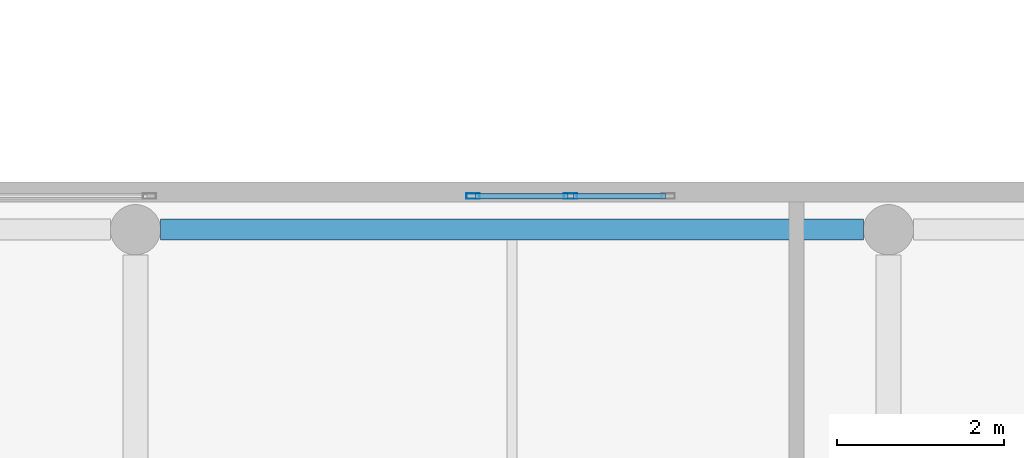
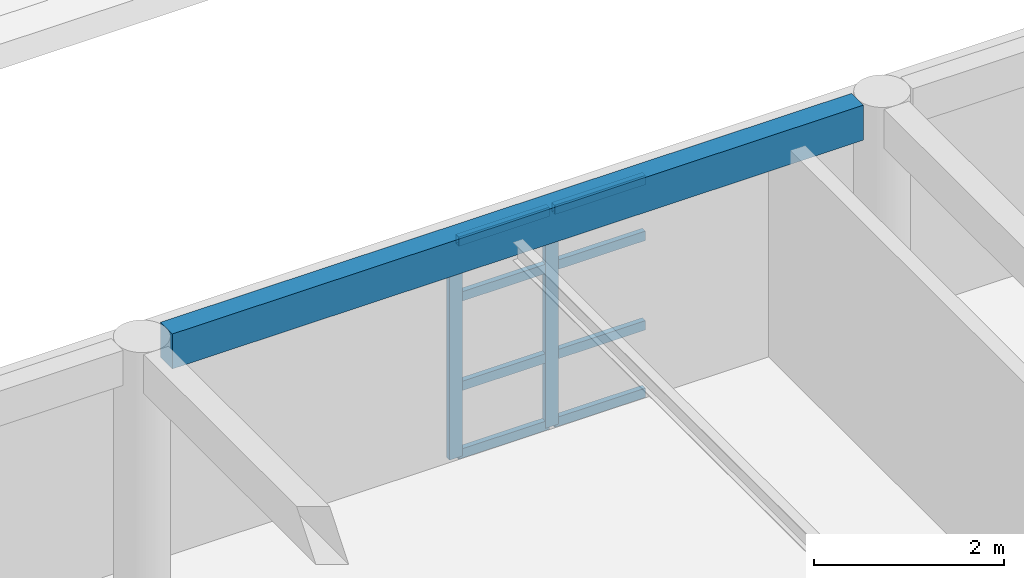
# One storey, part 61 of 128: 10 members, 1 beam, 1 element without a shape of its own.
"""IFC4 building model written with IfcOpenShell, lengths in metres."""

import ifcopenshell
import ifcopenshell.guid

model = None  # the IFC model being written
_history = None  # IfcOwnerHistory: only IFC2X3 demands one
_inside = {}  # id of a spatial element -> (the spatial element, [elements in it])
_under = {}  # id of a project, library or spatial element -> (it, [spatial elements below it])
_declared = {}  # id of a project -> (the project, [libraries it declares])
_typed = {}  # id of a type object -> (the type object, [elements of that type])
_made_of = {}  # id of a material, layer set ... -> (it, [elements and type objects made of it])


def new_model(schema):
    """Start an empty IFC model of exactly this schema.

    Asked for "IFC4X3", IfcOpenShell would pick the latest addendum, in which some entities
    have other attributes; the version numbers below select the first issue.
    IFC2X3 requires an IfcOwnerHistory on every rooted entity: one is made here for all.
    """
    global model, _history
    if schema == "IFC4X3":
        model = ifcopenshell.file(schema_version=(4, 3, 0, 0))
    else:
        model = ifcopenshell.file(schema=schema)
    _inside.clear()
    _under.clear()
    _declared.clear()
    _typed.clear()
    _made_of.clear()
    _history = None
    if model.schema == "IFC2X3":
        org = make("IfcOrganization", Name="unknown")
        user = make(
            "IfcPersonAndOrganization",
            ThePerson=make("IfcPerson", FamilyName="unknown"),
            TheOrganization=org,
        )
        app = make(
            "IfcApplication",
            ApplicationDeveloper=org,
            Version="unknown",
            ApplicationFullName="unknown",
            ApplicationIdentifier="unknown",
        )
        _history = make(
            "IfcOwnerHistory",
            OwningUser=user,
            OwningApplication=app,
            ChangeAction="ADDED",
            CreationDate=0,
        )
    return model


def make(cls, **values):
    """One entity of the class cls with the attributes given. An attribute that is None is left unset."""
    return model.create_entity(
        cls, **{name: value for name, value in values.items() if value is not None}
    )


def rooted(cls, **values):
    """An entity with a GlobalId (a new one), such as an element, a storey or a relation."""
    return make(cls, GlobalId=ifcopenshell.guid.new(), OwnerHistory=_history, **values)


def si_unit(unit_type, name, prefix=None):
    """IfcSIUnit, for example si_unit("LENGTHUNIT", "METRE", prefix="MILLI")."""
    return make("IfcSIUnit", UnitType=unit_type, Prefix=prefix, Name=name)


def assignment(units):
    """IfcUnitAssignment: the units of a project."""
    return None if units is None else make("IfcUnitAssignment", Units=units)


def point(xyz):
    """IfcCartesianPoint."""
    return None if xyz is None else make("IfcCartesianPoint", Coordinates=xyz)


def direction(xyz):
    """IfcDirection."""
    return None if xyz is None else make("IfcDirection", DirectionRatios=xyz)


def frame(location, z_axis=None, x_axis=None):
    """IfcAxis2Placement3D, a coordinate frame: its origin and axes. An axis left out is left unset."""
    return make(
        "IfcAxis2Placement3D",
        Location=point(location),
        Axis=direction(z_axis),
        RefDirection=direction(x_axis),
    )


def frame_2d(location, x_axis=None):
    """IfcAxis2Placement2D, a coordinate frame in the plane: its origin and x axis."""
    return make(
        "IfcAxis2Placement2D", Location=point(location), RefDirection=direction(x_axis)
    )


def origin():
    """The frame at (0, 0, 0) with its axes left unset."""
    return frame((0.0, 0.0, 0.0))


def origin_2d():
    """The frame at (0, 0) in the plane with its x axis left unset."""
    return frame_2d((0.0, 0.0))


def place(relative_to, where):
    """IfcLocalPlacement: puts the frame where relative to a parent placement (None: the world)."""
    return make(
        "IfcLocalPlacement", PlacementRelTo=relative_to, RelativePlacement=where
    )


def context(
    kind, dimensions, precision=None, world=None, true_north=None, identifier=None
):
    """IfcGeometricRepresentationContext, for example the 3D "Model" context."""
    return make(
        "IfcGeometricRepresentationContext",
        ContextIdentifier=identifier,
        ContextType=kind,
        CoordinateSpaceDimension=dimensions,
        Precision=precision,
        WorldCoordinateSystem=world,
        TrueNorth=true_north,
    )


def subcontext(parent, identifier, kind, view, scale=None):
    """IfcGeometricRepresentationSubContext, for example "Body" below "Model"."""
    return make(
        "IfcGeometricRepresentationSubContext",
        ContextIdentifier=identifier,
        ContextType=kind,
        ParentContext=parent,
        TargetScale=scale,
        TargetView=view,
    )


def project(units=None, contexts=None):
    """IfcProject with its units and contexts."""
    return rooted(
        "IfcProject",
        Name="project",
        RepresentationContexts=contexts,
        UnitsInContext=assignment(units),
    )


def spatial(cls, under=None, at=None, **own):
    """A site, building, storey or space (cls), placed at a placement, below another one or the project."""
    s = rooted(cls, ObjectPlacement=at, **own)
    if under is not None:
        _under.setdefault(under.id(), (under, []))[1].append(s)
    return s


def profile(cls, at=None, kind="AREA", **sizes):
    """A parametric profile (cls). Its sizes go by their IFC names, for example OverallWidth=200.0."""
    return make(cls, ProfileType=kind, Position=at, **sizes)


def rectangle(**sizes):
    """IfcRectangleProfileDef."""
    return profile("IfcRectangleProfileDef", **sizes)


def hollow_rectangle(**sizes):
    """IfcRectangleHollowProfileDef."""
    return profile("IfcRectangleHollowProfileDef", **sizes)


def extrude(swept, where, along, depth):
    """IfcExtrudedAreaSolid: the profile swept, set in the frame where, extruded along a direction by depth."""
    return make(
        "IfcExtrudedAreaSolid",
        SweptArea=swept,
        Position=where,
        ExtrudedDirection=direction(along),
        Depth=depth,
    )


def shape(context_of_items, identifier, shape_type, items):
    """IfcShapeRepresentation: the items that make up one representation, for example the "Body"."""
    return make(
        "IfcShapeRepresentation",
        ContextOfItems=context_of_items,
        RepresentationIdentifier=identifier,
        RepresentationType=shape_type,
        Items=items,
    )


def material(Name=None, Category=None):
    """IfcMaterial."""
    return make("IfcMaterial", Name=Name, Category=Category)


def layer(
    of_material, thickness, ventilated=None, Name=None, Category=None, Priority=None
):
    """IfcMaterialLayer: one layer of a wall or slab, of a material (None: an air gap)."""
    return make(
        "IfcMaterialLayer",
        Material=of_material,
        LayerThickness=thickness,
        IsVentilated=ventilated,
        Name=Name,
        Category=Category,
        Priority=Priority,
    )


def layer_set(layers, Name=None):
    """IfcMaterialLayerSet."""
    return make("IfcMaterialLayerSet", MaterialLayers=layers, LayerSetName=Name)


def material_profile(
    of_material, cross_section, Name=None, Category=None, Priority=None
):
    """IfcMaterialProfile: a cross section and its material."""
    return make(
        "IfcMaterialProfile",
        Name=Name,
        Material=of_material,
        Profile=cross_section,
        Priority=Priority,
        Category=Category,
    )


def profile_set(profiles, Name=None, composite=None):
    """IfcMaterialProfileSet."""
    return make(
        "IfcMaterialProfileSet",
        Name=Name,
        MaterialProfiles=profiles,
        CompositeProfile=composite,
    )


def made_of(thing, what):
    """Note that an element or type object is made of a material, layer set ...; save() writes the relation."""
    if what is not None:
        _made_of.setdefault(what.id(), (what, []))[1].append(thing)
    return thing


def type_object(cls, material=None, **own):
    """A type object (cls), such as IfcWallType, which elements share."""
    return made_of(rooted(cls, **own), material)


def element(
    cls,
    number,
    at=None,
    inside=None,
    cuts=None,
    type_object=None,
    material=None,
    context=None,
    identifier="Body",
    shape_type=None,
    held_by="IfcProductDefinitionShape",
    body=None,
    shapes=None,
    **own,
):
    """One element of the class cls, such as IfcWall. Its Tag is "e" and its number.

    at: its placement. inside: the storey or other place that contains it. cuts: it is an
    opening in that element (IfcRelVoidsElement). A single representation is given by context,
    identifier, shape_type and body (its items); several are given by shapes. held_by: the class
    of the entity that holds the representations. save() writes the other relations.
    """
    e = rooted(cls, Tag="e%d" % number, ObjectPlacement=at, **own)
    if body is not None:
        shapes = [shape(context, identifier, shape_type, body)]
    if shapes is not None:
        e.Representation = make(held_by, Representations=shapes)
    if inside is not None:
        _inside.setdefault(inside.id(), (inside, []))[1].append(e)
    if cuts is not None:
        rooted(
            "IfcRelVoidsElement", RelatingBuildingElement=cuts, RelatedOpeningElement=e
        )
    if type_object is not None:
        _typed.setdefault(type_object.id(), (type_object, []))[1].append(e)
    return made_of(e, material)


def aggregate(whole, parts):
    """IfcRelAggregates: a whole, such as a stair, and the parts it consists of."""
    return rooted("IfcRelAggregates", RelatingObject=whole, RelatedObjects=parts)


def save(model, path):
    """Write the relations noted so far, then the file.

    IfcRelAggregates (storeys below a building ...), IfcRelContainedInSpatialStructure (elements
    in a storey), IfcRelDefinesByType, IfcRelAssociatesMaterial and IfcRelDeclares: one each for
    every whole, place, type object, material and project.
    """
    for whole, parts in _under.values():
        aggregate(whole, parts)
    for where, things in _inside.values():
        rooted(
            "IfcRelContainedInSpatialStructure",
            RelatedElements=things,
            RelatingStructure=where,
        )
    for kind, things in _typed.values():
        rooted("IfcRelDefinesByType", RelatedObjects=things, RelatingType=kind)
    for what, things in _made_of.values():
        rooted("IfcRelAssociatesMaterial", RelatedObjects=things, RelatingMaterial=what)
    for by, libraries in _declared.values():
        rooted("IfcRelDeclares", RelatingContext=by, RelatedDefinitions=libraries)
    model.write(path)


model = new_model("IFC4")

# Units and contexts
model_context = context("Model", 3, precision=1e-05, world=origin(), true_north=direction((0.0, 1.0)))
body_context = subcontext(model_context, "Body", "Model", "MODEL_VIEW")
ifc_project = project(units=[si_unit("LENGTHUNIT", "METRE"), si_unit("AREAUNIT", "SQUARE_METRE"), si_unit("VOLUMEUNIT", "CUBIC_METRE"), si_unit("PLANEANGLEUNIT", "RADIAN"), si_unit("MASSUNIT", "GRAM", prefix="KILO")], contexts=[model_context])

# Site, building, storey
site_placement = place(None, origin())
site = spatial("IfcSite", under=ifc_project, at=site_placement, CompositionType="ELEMENT")
building_placement = place(site_placement, origin())
building = spatial("IfcBuilding", under=site, at=building_placement, Name="Keldmere Railside Commons", CompositionType="ELEMENT")
storey_placement = place(building_placement, frame((0.0, 0.0, 4.159912109375)))
storey = spatial("IfcBuildingStorey", under=building, at=storey_placement, Name="L01", CompositionType="ELEMENT", Elevation=4.159912109375)

# Beam
ifc_material_1 = material(Name="Architectural Precast Concrete H-35 (C35/45)", Category="concrete")
ifc_material_profile_1 = material_profile(ifc_material_1, rectangle(XDim=0.25, YDim=0.449951171875, at=origin_2d()), Name="RC-250x450")
ifc_profile_set_1 = profile_set([ifc_material_profile_1], Name="Architectural Precast Concrete H-35 (C35/45)")
beam_type = type_object("IfcBeamType", Name="Perimeter Precast Spandrel Beam 250x450", PredefinedType="SPANDREL", material=ifc_profile_set_1)
beam_placement = place(storey_placement, frame((159.300048828125, 39.550048828125, 2.97509765625), z_axis=(1.0, 0.0, 0.0), x_axis=(0.0, 1.0, 0.0)))
element("IfcBeam", 1, at=beam_placement, inside=storey, type_object=beam_type, Name="SPB-1 BM-L01-0777", PredefinedType="SPANDREL", context=body_context, shape_type="SweptSolid", body=[
    extrude(rectangle(XDim=0.25, YDim=0.449951171875, at=origin_2d()), origin(), (0.0, 0.0, 1.0), 8.39990234375),
])

# Curtain wall, members
ifc_material_2 = material(Name="Thermally Broken Aluminium", Category="aluminium")
ifc_layer = layer(ifc_material_2, 0.159912109375, Name="Stair Tower Daylit Strip CW 2400x2850")
ifc_layer_set = layer_set([ifc_layer], Name="Thermally Broken Aluminium")
curtain_wall_type = type_object("IfcCurtainWallType", Name="Stair Tower Daylit Strip CW 2400x2850", PredefinedType="NOTDEFINED", material=ifc_layer_set)
curtain_wall_placement = place(storey_placement, origin())
curtain_wall = element("IfcCurtainWall", 2, at=curtain_wall_placement, inside=storey, type_object=curtain_wall_type, Name="CW-18 CW-L01-222", PredefinedType="NOTDEFINED")
ifc_material_profile_2 = material_profile(ifc_material_2, hollow_rectangle(XDim=0.06494140625, YDim=0.159912109375, WallThickness=0.00390625, at=origin_2d()), Name="ALU-MULL-65x160")
ifc_profile_set_2 = profile_set([ifc_material_profile_2], Name="Thermally Broken Aluminium")
member_type_1 = type_object("IfcMemberType", Name="Unitised Curtain Wall Mullion 65x160", PredefinedType="MULLION", material=ifc_profile_set_2)
member_1_placement = place(storey_placement, frame((163.032470703125, 39.949951171875, 0.0), z_axis=(0.0, 0.0, 1.0), x_axis=(0.0, 1.0, 0.0)))
member_1 = element("IfcMember", 3, at=member_1_placement, type_object=member_type_1, Name="CW-18 mullion 1", PredefinedType="MULLION", context=body_context, shape_type="SweptSolid", body=[
    extrude(hollow_rectangle(XDim=0.06494140625, YDim=0.159912109375, WallThickness=0.00390625, at=origin_2d()), origin(), (0.0, 0.0, 1.0), 2.800048828125),
])
member_2_placement = place(storey_placement, frame((164.199951171875, 39.949951171875, 0.0), z_axis=(0.0, 0.0, 1.0), x_axis=(0.0, 1.0, 0.0)))
member_2 = element("IfcMember", 4, at=member_2_placement, type_object=member_type_1, Name="CW-18 mullion 2", PredefinedType="MULLION", context=body_context, shape_type="SweptSolid", body=[
    extrude(hollow_rectangle(XDim=0.06494140625, YDim=0.159912109375, WallThickness=0.00390625, at=origin_2d()), origin(), (0.0, 0.0, 1.0), 2.800048828125),
])
ifc_material_profile_3 = material_profile(ifc_material_2, hollow_rectangle(XDim=0.06494140625, YDim=0.1201171875, WallThickness=0.00390625, at=origin_2d()), Name="ALU-TRAN-65x120")
ifc_profile_set_3 = profile_set([ifc_material_profile_3], Name="Thermally Broken Aluminium")
member_type_2 = type_object("IfcMemberType", Name="Unitised Curtain Wall Transom 65x120", PredefinedType="USERDEFINED", material=ifc_profile_set_3)
member_3_placement = place(storey_placement, frame((163.06494140625, 39.949951171875, 0.032470703125), z_axis=(1.0, 0.0, 0.0), x_axis=(0.0, 1.0, 0.0)))
member_3 = element("IfcMember", 5, at=member_3_placement, type_object=member_type_2, Name="CW-18 transom 1.1", ObjectType="TRANSOM", PredefinedType="USERDEFINED", context=body_context, shape_type="SweptSolid", body=[
    extrude(hollow_rectangle(XDim=0.06494140625, YDim=0.1201171875, WallThickness=0.00390625, at=origin_2d()), origin(), (0.0, 0.0, 1.0), 1.1025390625),
])
member_4_placement = place(storey_placement, frame((163.06494140625, 39.949951171875, 0.900146484375), z_axis=(1.0, 0.0, 0.0), x_axis=(0.0, 1.0, 0.0)))
member_4 = element("IfcMember", 6, at=member_4_placement, type_object=member_type_2, Name="CW-18 transom 1.2", ObjectType="TRANSOM", PredefinedType="USERDEFINED", context=body_context, shape_type="SweptSolid", body=[
    extrude(hollow_rectangle(XDim=0.06494140625, YDim=0.1201171875, WallThickness=0.00390625, at=origin_2d()), origin(), (0.0, 0.0, 1.0), 1.1025390625),
])
member_5_placement = place(storey_placement, frame((163.06494140625, 39.949951171875, 2.050048828125), z_axis=(1.0, 0.0, 0.0), x_axis=(0.0, 1.0, 0.0)))
member_5 = element("IfcMember", 7, at=member_5_placement, type_object=member_type_2, Name="CW-18 transom 1.3", ObjectType="TRANSOM", PredefinedType="USERDEFINED", context=body_context, shape_type="SweptSolid", body=[
    extrude(hollow_rectangle(XDim=0.06494140625, YDim=0.1201171875, WallThickness=0.00390625, at=origin_2d()), origin(), (0.0, 0.0, 1.0), 1.1025390625),
])
member_6_placement = place(storey_placement, frame((163.06494140625, 39.949951171875, 2.767578125), z_axis=(1.0, 0.0, 0.0), x_axis=(0.0, 1.0, 0.0)))
member_6 = element("IfcMember", 8, at=member_6_placement, type_object=member_type_2, Name="CW-18 transom 1.4", ObjectType="TRANSOM", PredefinedType="USERDEFINED", context=body_context, shape_type="SweptSolid", body=[
    extrude(hollow_rectangle(XDim=0.06494140625, YDim=0.1201171875, WallThickness=0.00390625, at=origin_2d()), origin(), (0.0, 0.0, 1.0), 1.1025390625),
])
member_7_placement = place(storey_placement, frame((164.232421875, 39.949951171875, 0.032470703125), z_axis=(1.0, 0.0, 0.0), x_axis=(0.0, 1.0, 0.0)))
member_7 = element("IfcMember", 9, at=member_7_placement, type_object=member_type_2, Name="CW-18 transom 2.1", ObjectType="TRANSOM", PredefinedType="USERDEFINED", context=body_context, shape_type="SweptSolid", body=[
    extrude(hollow_rectangle(XDim=0.06494140625, YDim=0.1201171875, WallThickness=0.00390625, at=origin_2d()), origin(), (0.0, 0.0, 1.0), 1.1025390625),
])
member_8_placement = place(storey_placement, frame((164.232421875, 39.949951171875, 0.900146484375), z_axis=(1.0, 0.0, 0.0), x_axis=(0.0, 1.0, 0.0)))
member_8 = element("IfcMember", 10, at=member_8_placement, type_object=member_type_2, Name="CW-18 transom 2.2", ObjectType="TRANSOM", PredefinedType="USERDEFINED", context=body_context, shape_type="SweptSolid", body=[
    extrude(hollow_rectangle(XDim=0.06494140625, YDim=0.1201171875, WallThickness=0.00390625, at=origin_2d()), origin(), (0.0, 0.0, 1.0), 1.1025390625),
])
member_9_placement = place(storey_placement, frame((164.232421875, 39.949951171875, 2.050048828125), z_axis=(1.0, 0.0, 0.0), x_axis=(0.0, 1.0, 0.0)))
member_9 = element("IfcMember", 11, at=member_9_placement, type_object=member_type_2, Name="CW-18 transom 2.3", ObjectType="TRANSOM", PredefinedType="USERDEFINED", context=body_context, shape_type="SweptSolid", body=[
    extrude(hollow_rectangle(XDim=0.06494140625, YDim=0.1201171875, WallThickness=0.00390625, at=origin_2d()), origin(), (0.0, 0.0, 1.0), 1.1025390625),
])
member_10_placement = place(storey_placement, frame((164.232421875, 39.949951171875, 2.767578125), z_axis=(1.0, 0.0, 0.0), x_axis=(0.0, 1.0, 0.0)))
member_10 = element("IfcMember", 12, at=member_10_placement, type_object=member_type_2, Name="CW-18 transom 2.4", ObjectType="TRANSOM", PredefinedType="USERDEFINED", context=body_context, shape_type="SweptSolid", body=[
    extrude(hollow_rectangle(XDim=0.06494140625, YDim=0.1201171875, WallThickness=0.00390625, at=origin_2d()), origin(), (0.0, 0.0, 1.0), 1.1025390625),
])
aggregate(curtain_wall, [member_1, member_2, member_3, member_4, member_5, member_6, member_7, member_8, member_9, member_10])

save(model, "model.ifc")
